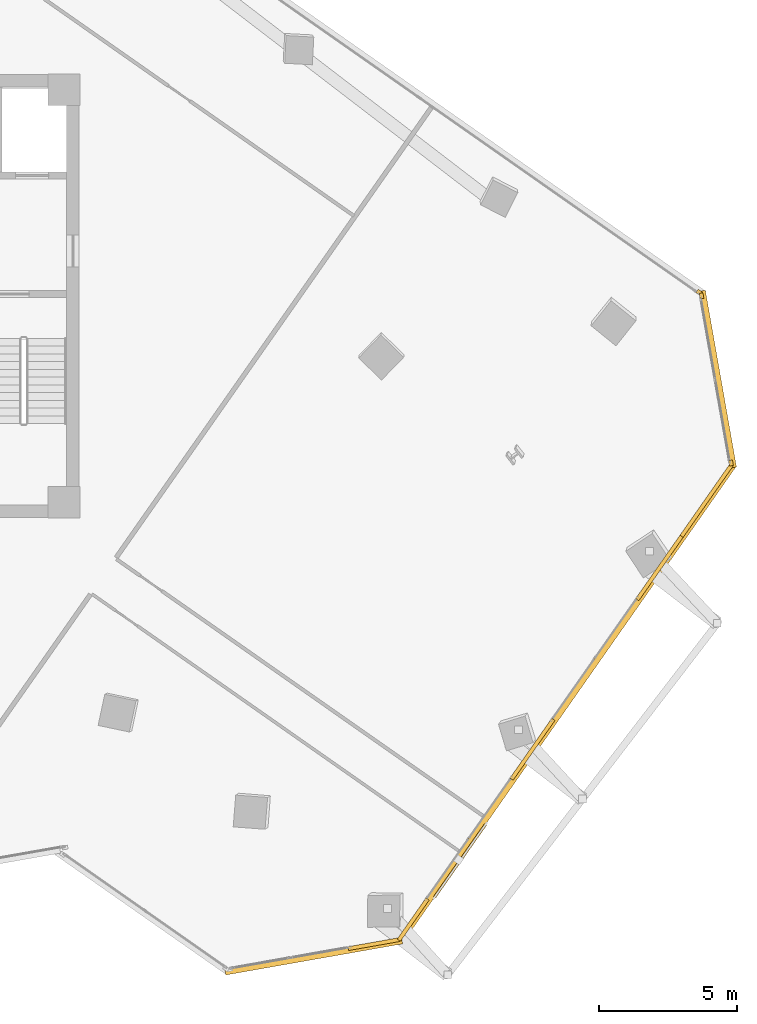
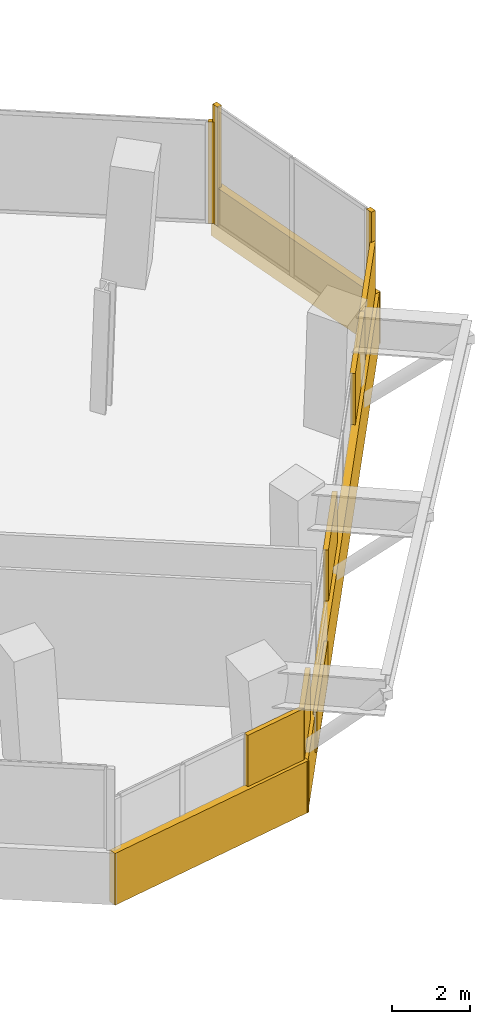
# One storey, part 20 of 21: 11 coverings, 1 shading device.
"""IFC4 building model written with IfcOpenShell, lengths in metres."""

from ifc_helpers import new_model, si_unit, direction, frame, origin, origin_2d, place, context, subcontext, project, spatial, rectangle, extrude, source, transform, mapped, material, layer, layer_set, type_object, element, save


model = new_model("IFC4")

# Units and contexts
model_context = context("Model", 3, precision=1e-05, world=origin(), true_north=direction((0.0, 1.0)))
body_context = subcontext(model_context, "Body", "Model", "MODEL_VIEW")
ifc_project = project(units=[si_unit("LENGTHUNIT", "METRE"), si_unit("AREAUNIT", "SQUARE_METRE"), si_unit("VOLUMEUNIT", "CUBIC_METRE"), si_unit("PLANEANGLEUNIT", "RADIAN"), si_unit("MASSUNIT", "GRAM", prefix="KILO")], contexts=[model_context])

# Site, building, storey
site_placement = place(None, origin())
site = spatial("IfcSite", under=ifc_project, at=site_placement, CompositionType="ELEMENT")
building_placement = place(site_placement, origin())
building = spatial("IfcBuilding", under=site, at=building_placement, Name="Torre Montelarca", CompositionType="ELEMENT")
storey_placement = place(building_placement, frame((0.0, 0.0, 200.199951171875)))
storey = spatial("IfcBuildingStorey", under=building, at=storey_placement, Name="L45", CompositionType="ELEMENT", Elevation=200.199951171875)

# Coverings
ifc_material_1 = material(Name="Bush-hammered warm white precast concrete C45/55", Category="concrete")
ifc_layer_1 = layer(ifc_material_1, 0.139892578125, Name="Bush-hammered warm white precast concrete C45/55", Category="concrete")
ifc_layer_set_1 = layer_set([ifc_layer_1], Name="Bush-hammered warm white precast concrete C45/55")
covering_type = type_object("IfcCoveringType", Name="COV-TRAY-CLAD", PredefinedType="CLADDING", material=ifc_layer_set_1)
shared_shape_1 = source(origin(), body_context, "Body", "SweptSolid", [
    extrude(rectangle(XDim=6.48388671875, YDim=0.219970703125, at=origin_2d()), origin(), (0.0, 0.0, 1.0), 1.6201171875),
])
for number, where, z_axis, x_axis, name in (
    (1, (35.4716796875, 8.142822265625, -0.449951171875), (0.0, 0.0, 1.0), (0.984807449937, 0.17364989648, 0.0), "L45 Architectural White Spandrel Tray Band TRYBOT-05"),
    (2, (50.073486328125, 28.99658203125, -0.449951171875), (0.0, 0.0, 1.0), (-0.17364989648, 0.984807449937, 0.0), "L45 Architectural White Spandrel Tray Band TRYBOT-07"),
):
    element("IfcCovering", number, at=place(storey_placement, frame(where, z_axis=z_axis, x_axis=x_axis)), inside=storey, type_object=covering_type, Name=name, PredefinedType="CLADDING", context=body_context, shape_type="MappedRepresentation", body=[
        mapped(shared_shape_1, transform((0.0, 0.0, 0.0), scale=1.0)),
    ])
shared_shape_2 = source(origin(), body_context, "Body", "SweptSolid", [
    extrude(rectangle(XDim=21.1201171875, YDim=0.219970703125, at=origin_2d()), origin(), (0.0, 0.0, 1.0), 1.6201171875),
])
covering_1_placement = place(storey_placement, frame((44.6083984375, 17.2841796875, -0.449951171875), z_axis=(0.0, 0.0, 1.0), x_axis=(0.573576436351, 0.819152044289, 0.0)))
element("IfcCovering", 3, at=covering_1_placement, inside=storey, type_object=covering_type, Name="L45 Architectural White Spandrel Tray Band TRYBOT-06", PredefinedType="CLADDING", context=body_context, shape_type="MappedRepresentation", body=[
    mapped(shared_shape_2, transform((0.0, 0.0, 0.0), scale=1.0)),
])

# Shading device
ifc_material_2 = material(Name="Architectural perforated terracotta ceramic", Category="masonry")
ifc_layer_2 = layer(ifc_material_2, 0.080078125, Name="Architectural perforated terracotta ceramic", Category="masonry")
ifc_layer_set_2 = layer_set([ifc_layer_2], Name="Architectural perforated terracotta ceramic")
shading_device_type = type_object("IfcShadingDeviceType", Name="SHD-JALOUSIE-1", PredefinedType="JALOUSIE", material=ifc_layer_set_2)
shared_shape_3 = source(origin(), body_context, "Body", "SweptSolid", [
    extrude(rectangle(XDim=3.199951171875, YDim=0.10009765625, at=origin_2d()), origin(), (0.0, 0.0, 1.0), 1.25),
])
shading_device_placement = place(storey_placement, frame((40.75927734375, 11.59521484375, -0.0048828125), z_axis=(0.0, 0.0, 1.0), x_axis=(0.573576436351, 0.819152044289, 0.0)))
element("IfcShadingDevice", 4, at=shading_device_placement, inside=storey, type_object=shading_device_type, Name="L45 Facade Solar Shading Device E6", PredefinedType="JALOUSIE", context=body_context, shape_type="MappedRepresentation", body=[
    mapped(shared_shape_3, transform((0.0, 0.0, 0.0), scale=1.0)),
])

# Coverings
shared_shape_4 = source(origin(), body_context, "Body", "SweptSolid", [
    extrude(rectangle(XDim=0.199951171875, YDim=0.139892578125, at=origin_2d()), origin(), (0.0, 0.0, 1.0), 3.719970703125),
])
for number, where, z_axis, x_axis, name in (
    (5, (50.546875, 25.966552734375, 0.0), (0.0, 0.0, 1.0), (-0.173644740038, 0.984808359153, 0.0), "L45 Architectural Column Pier Cladding E07-1"),
    (6, (49.48193359375, 32.005615234375, 0.0), (0.0, 0.0, 1.0), (-0.173644740038, 0.984808359153, 0.0), "L45 Architectural Column Pier Cladding E07-2"),
):
    element("IfcCovering", number, at=place(storey_placement, frame(where, z_axis=z_axis, x_axis=x_axis)), inside=storey, type_object=covering_type, Name=name, PredefinedType="CLADDING", context=body_context, shape_type="MappedRepresentation", body=[
        mapped(shared_shape_4, transform((0.0, 0.0, 0.0), scale=1.0)),
    ])
shared_shape_5 = source(origin(), body_context, "Body", "SweptSolid", [
    extrude(rectangle(XDim=0.199951171875, YDim=0.139892578125, at=origin_2d()), origin(), (0.0, 0.0, 1.0), 3.175048828125),
])
covering_2_placement = place(storey_placement, frame((49.404052734375, 32.128173828125, 0.0), z_axis=(0.0, 0.0, 1.0), x_axis=(-0.819154046443, 0.573573576968, 0.0)))
element("IfcCovering", 7, at=covering_2_placement, inside=storey, type_object=covering_type, Name="L45 Architectural Column Pier Cladding E08-1", PredefinedType="CLADDING", context=body_context, shape_type="MappedRepresentation", body=[
    mapped(shared_shape_5, transform((0.0, 0.0, 0.0), scale=1.0)),
])
shared_shape_6 = source(origin(), body_context, "Body", "SweptSolid", [
    extrude(rectangle(XDim=1.8828125, YDim=0.139892578125, at=origin_2d()), origin(), (0.0, 0.0, 1.0), 2.77490234375),
])
covering_3_placement = place(storey_placement, frame((37.652099609375, 8.58837890625, 0.0), z_axis=(0.0, 0.0, 1.0), x_axis=(0.984808359153, 0.173644740038, 0.0)))
element("IfcCovering", 8, at=covering_3_placement, inside=storey, type_object=covering_type, Name="L45 Architectural Column Pier Cladding E05-2", PredefinedType="CLADDING", context=body_context, shape_type="MappedRepresentation", body=[
    mapped(shared_shape_6, transform((0.0, 0.0, 0.0), scale=1.0)),
])
shared_shape_7 = source(origin(), body_context, "Body", "SweptSolid", [
    extrude(rectangle(XDim=1.81298828125, YDim=0.139892578125, at=origin_2d()), origin(), (0.0, 0.0, 1.0), 2.77490234375),
])
covering_4_placement = place(storey_placement, frame((39.06591796875, 9.472900390625, 0.0), z_axis=(0.0, 0.0, 1.0), x_axis=(0.573572147273, 0.819155047517, 0.0)))
element("IfcCovering", 9, at=covering_4_placement, inside=storey, type_object=covering_type, Name="L45 Architectural Column Pier Cladding E06-1", PredefinedType="CLADDING", context=body_context, shape_type="MappedRepresentation", body=[
    mapped(shared_shape_7, transform((0.0, 0.0, 0.0), scale=1.0)),
])
shared_shape_8 = source(origin(), body_context, "Body", "SweptSolid", [
    extrude(rectangle(XDim=2.6376953125, YDim=0.139892578125, at=origin_2d()), origin(), (0.0, 0.0, 1.0), 2.77490234375),
])
covering_5_placement = place(storey_placement, frame((43.373779296875, 15.62548828125, 0.0), z_axis=(0.0, 0.0, 1.0), x_axis=(0.573572147273, 0.819155047517, 0.0)))
element("IfcCovering", 10, at=covering_5_placement, inside=storey, type_object=covering_type, Name="L45 Architectural Column Pier Cladding E06-2", PredefinedType="CLADDING", context=body_context, shape_type="MappedRepresentation", body=[
    mapped(shared_shape_8, transform((0.0, 0.0, 0.0), scale=1.0)),
])
shared_shape_9 = source(origin(), body_context, "Body", "SweptSolid", [
    extrude(rectangle(XDim=2.793701171875, YDim=0.139892578125, at=origin_2d()), origin(), (0.0, 0.0, 1.0), 2.77490234375),
])
covering_6_placement = place(storey_placement, frame((47.959716796875, 22.1748046875, 0.0), z_axis=(0.0, 0.0, 1.0), x_axis=(0.573572147273, 0.819155047517, 0.0)))
element("IfcCovering", 11, at=covering_6_placement, inside=storey, type_object=covering_type, Name="L45 Architectural Column Pier Cladding E06-3", PredefinedType="CLADDING", context=body_context, shape_type="MappedRepresentation", body=[
    mapped(shared_shape_9, transform((0.0, 0.0, 0.0), scale=1.0)),
])
shared_shape_10 = source(origin(), body_context, "Body", "SweptSolid", [
    extrude(rectangle(XDim=3.259033203125, YDim=0.139892578125, at=origin_2d()), origin(), (0.0, 0.0, 1.0), 2.77490234375),
])
covering_7_placement = place(storey_placement, frame((49.63818359375, 24.572021484375, 0.0), z_axis=(0.0, 0.0, 1.0), x_axis=(0.573572147273, 0.819155047517, 0.0)))
element("IfcCovering", 12, at=covering_7_placement, inside=storey, type_object=covering_type, Name="L45 Architectural Column Pier Cladding E06-4", PredefinedType="CLADDING", context=body_context, shape_type="MappedRepresentation", body=[
    mapped(shared_shape_10, transform((0.0, 0.0, 0.0), scale=1.0)),
])

save(model, "model.ifc")
